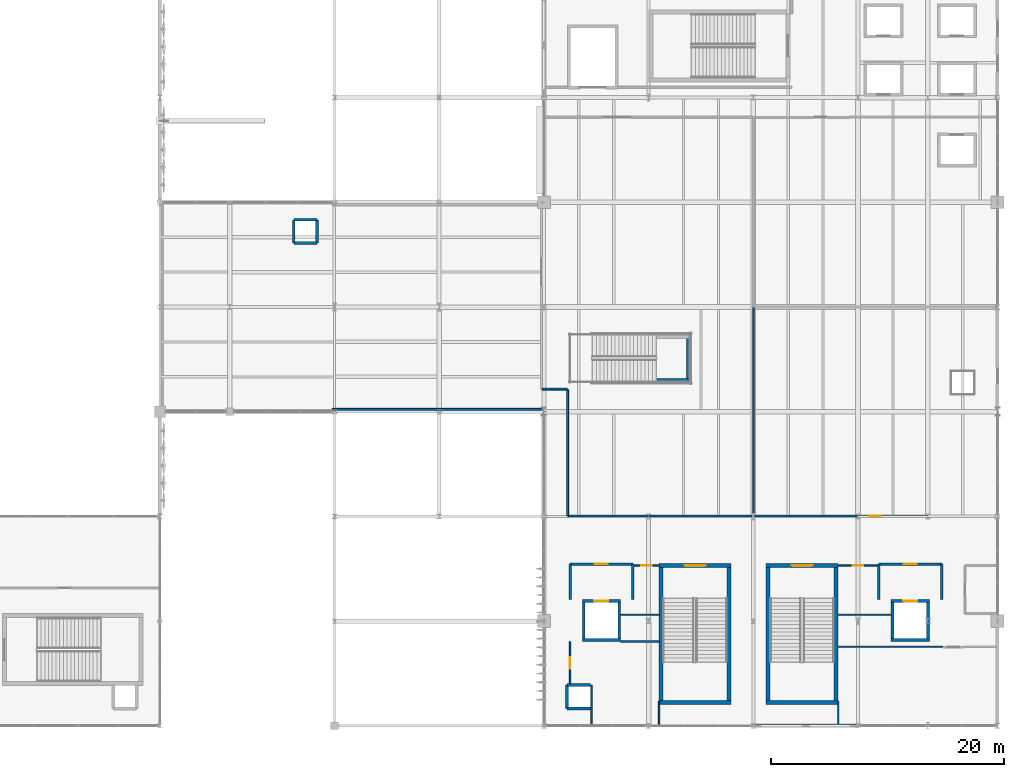
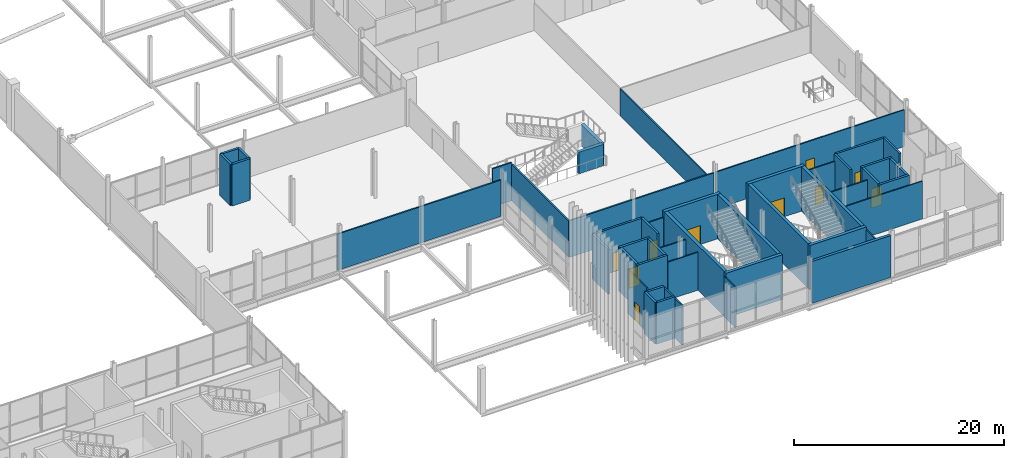
# One storey, part 92 of 119: 48 walls, 10 doors, 10 openings.
"""IFC4 building model written with IfcOpenShell, lengths in metres."""

from ifc_helpers import new_model, si_unit, direction, frame, frame_2d, origin, place, context, subcontext, project, spatial, rectangle, extrude, material, layer, layer_set, type_object, element, fill, save


model = new_model("IFC4")

# Units and contexts
model_context = context("Model", 3, precision=1e-05, world=origin(), true_north=direction((0.0, 1.0)))
body_context = subcontext(model_context, "Body", "Model", "MODEL_VIEW")
ifc_project = project(units=[si_unit("LENGTHUNIT", "METRE"), si_unit("AREAUNIT", "SQUARE_METRE"), si_unit("VOLUMEUNIT", "CUBIC_METRE"), si_unit("PLANEANGLEUNIT", "RADIAN"), si_unit("MASSUNIT", "GRAM", prefix="KILO")], contexts=[model_context])

# Site, building, storey
site_placement = place(None, origin())
site = spatial("IfcSite", under=ifc_project, at=site_placement, CompositionType="ELEMENT")
building_placement = place(site_placement, origin())
building = spatial("IfcBuilding", under=site, at=building_placement, Name="Qamarlyn Nura Convention Centre", CompositionType="ELEMENT")
storey_placement = place(building_placement, frame((0.0, 0.0, 5.39990234375)))
storey = spatial("IfcBuildingStorey", under=building, at=storey_placement, Name="L01", CompositionType="ELEMENT", Elevation=5.39990234375)

# Wall, opening, door
ifc_material_1 = material(Name="Fire-rated acoustic gypsum board and mineral wool EI 120")
ifc_layer_1 = layer(ifc_material_1, 0.219970703125, Name="WT-COMP-220")
ifc_layer_set_1 = layer_set([ifc_layer_1], Name="Fire-rated acoustic gypsum board and mineral wool EI 120")
wall_type_1 = type_object("IfcWallType", Name="WT-COMP-220", PredefinedType="SOLIDWALL", material=ifc_layer_set_1)
wall_1_placement = place(storey_placement, frame((155.25, 13.89990234375, 0.0), z_axis=(0.0, 0.0, 1.0), x_axis=(1.0, 0.0, 0.0)))
wall_1 = element("IfcWall", 1, at=wall_1_placement, inside=storey, type_object=wall_type_1, Name="L01 firefighting lobby barrier wall FFL-01-OPP", PredefinedType="SOLIDWALL", context=body_context, shape_type="SweptSolid", body=[
    extrude(rectangle(XDim=5.39990234375, YDim=0.219970703125, at=frame_2d((2.699951171875, 0.0))), origin(), (0.0, 0.0, 1.0), 5.16015625),
])
opening_1_placement = place(wall_1_placement, frame((2.139892578125, 0.0, 0.0)))
opening_1 = element("IfcOpeningElement", 2, at=opening_1_placement, cuts=wall_1, Name="Opening DF-105", PredefinedType="OPENING", context=body_context, shape_type="SweptSolid", body=[
    extrude(rectangle(XDim=1.1201171875, YDim=2.199951171875, at=frame_2d((0.56005859375, 1.10009765625))), frame((0.0, 0.1201171875, 0.0), z_axis=(0.0, -1.0, 0.0), x_axis=(1.0, 0.0, 0.0)), (0.0, 0.0, 1.0), 0.239990234375),
])
ifc_material_2 = material(Name="Galvanised fire-rated hollow steel door", Category="steel")
door_type_1 = type_object("IfcDoorType", Name="DR-FFL-1120", OperationType="NOTDEFINED", PredefinedType="DOOR", material=ifc_material_2)
door_1_placement = place(opening_1_placement, origin())
door_1 = element("IfcDoor", 3, at=door_1_placement, inside=storey, type_object=door_type_1, Name="L01 firefighting lobby door FFL-01 (DF-105)", OperationType="SINGLE_SWING_LEFT", OverallHeight=2.199951171875, OverallWidth=1.1201171875, PredefinedType="DOOR", context=body_context, shape_type="SweptSolid", body=[
    extrude(rectangle(XDim=1.1201171875, YDim=2.199951171875, at=frame_2d((0.56005859375, 1.10009765625))), frame((0.0, 0.02490234375, 0.0), z_axis=(0.0, -1.0, 0.0), x_axis=(1.0, 0.0, 0.0)), (0.0, 0.0, 1.0), 0.050048828125),
])
fill(opening_1, door_1)

# Walls
for number, where, z_axis, x_axis, name in (
    (4, (155.25, 10.85009765625, 0.0), (0.0, 0.0, 1.0), (0.0, 1.0, 0.0), "L01 firefighting lobby barrier wall FFL-01-W"),
    (5, (160.64990234375, 10.85009765625, 0.0), (0.0, 0.0, 1.0), (0.0, 1.0, 0.0), "L01 firefighting lobby barrier wall FFL-01-E"),
):
    element("IfcWall", number, at=place(storey_placement, frame(where, z_axis=z_axis, x_axis=x_axis)), inside=storey, type_object=wall_type_1, Name=name, PredefinedType="SOLIDWALL", context=body_context, shape_type="SweptSolid", body=[
        extrude(rectangle(XDim=3.0498046875, YDim=0.219970703125, at=frame_2d((1.52490234375, 0.0))), origin(), (0.0, 0.0, 1.0), 5.16015625),
    ])

# Wall, opening, door
wall_2_placement = place(storey_placement, frame((181.800048828125, 13.89990234375, 0.0), z_axis=(0.0, 0.0, 1.0), x_axis=(1.0, 0.0, 0.0)))
wall_2 = element("IfcWall", 6, at=wall_2_placement, inside=storey, type_object=wall_type_1, Name="L01 firefighting lobby barrier wall FFL-02-OPP", PredefinedType="SOLIDWALL", context=body_context, shape_type="SweptSolid", body=[
    extrude(rectangle(XDim=5.39990234375, YDim=0.219970703125, at=frame_2d((2.699951171875, 0.0))), origin(), (0.0, 0.0, 1.0), 5.16015625),
])
opening_2_placement = place(wall_2_placement, frame((2.139892578125, 0.0, 0.0)))
opening_2 = element("IfcOpeningElement", 7, at=opening_2_placement, cuts=wall_2, Name="Opening DF-112", PredefinedType="OPENING", context=body_context, shape_type="SweptSolid", body=[
    extrude(rectangle(XDim=1.1201171875, YDim=2.199951171875, at=frame_2d((0.56005859375, 1.10009765625))), frame((0.0, 0.1201171875, 0.0), z_axis=(0.0, -1.0, 0.0), x_axis=(1.0, 0.0, 0.0)), (0.0, 0.0, 1.0), 0.239990234375),
])
door_2_placement = place(opening_2_placement, origin())
door_2 = element("IfcDoor", 8, at=door_2_placement, inside=storey, type_object=door_type_1, Name="L01 firefighting lobby door FFL-02 (DF-112)", OperationType="SINGLE_SWING_RIGHT", OverallHeight=2.199951171875, OverallWidth=1.1201171875, PredefinedType="DOOR", context=body_context, shape_type="SweptSolid", body=[
    extrude(rectangle(XDim=1.1201171875, YDim=2.199951171875, at=frame_2d((0.56005859375, 1.10009765625))), frame((0.0, 0.02490234375, 0.0), z_axis=(0.0, -1.0, 0.0), x_axis=(1.0, 0.0, 0.0)), (0.0, 0.0, 1.0), 0.050048828125),
])
fill(opening_2, door_2)

# Walls
for number, where, z_axis, x_axis, name in (
    (9, (181.800048828125, 10.85009765625, 0.0), (0.0, 0.0, 1.0), (0.0, 1.0, 0.0), "L01 firefighting lobby barrier wall FFL-02-W"),
    (10, (187.199951171875, 10.85009765625, 0.0), (0.0, 0.0, 1.0), (0.0, 1.0, 0.0), "L01 firefighting lobby barrier wall FFL-02-E"),
):
    element("IfcWall", number, at=place(storey_placement, frame(where, z_axis=z_axis, x_axis=x_axis)), inside=storey, type_object=wall_type_1, Name=name, PredefinedType="SOLIDWALL", context=body_context, shape_type="SweptSolid", body=[
        extrude(rectangle(XDim=3.0498046875, YDim=0.219970703125, at=frame_2d((1.52490234375, 0.0))), origin(), (0.0, 0.0, 1.0), 5.16015625),
    ])
ifc_material_3 = material(Name="Concrete C50/60", Category="concrete")
ifc_layer_2 = layer(ifc_material_3, 0.35009765625, Name="WT-CORE-350")
ifc_layer_set_2 = layer_set([ifc_layer_2], Name="Concrete C50/60")
wall_type_2 = type_object("IfcWallType", Name="WT-CORE-350", PredefinedType="SHEAR", material=ifc_layer_set_2)
wall_3_placement = place(storey_placement, frame((162.89990234375, 2.02490234375, 0.0), z_axis=(0.0, 0.0, 1.0), x_axis=(1.0, 0.0, 0.0)))
element("IfcWall", 11, at=wall_3_placement, inside=storey, type_object=wall_type_2, Name="L01 stair core shear wall ST-09-S", PredefinedType="SHEAR", context=body_context, shape_type="SweptSolid", body=[
    extrude(rectangle(XDim=6.2001953125, YDim=0.35009765625, at=frame_2d((3.10009765625, 0.0))), origin(), (0.0, 0.0, 1.0), 5.18017578125),
])

# Wall, opening, door
wall_4_placement = place(storey_placement, frame((169.10009765625, 13.77490234375, 0.0), z_axis=(0.0, 0.0, 1.0), x_axis=(-1.0, 0.0, 0.0)))
wall_4 = element("IfcWall", 12, at=wall_4_placement, inside=storey, type_object=wall_type_2, Name="L01 stair core shear wall ST-09-N", PredefinedType="SHEAR", context=body_context, shape_type="SweptSolid", body=[
    extrude(rectangle(XDim=6.2001953125, YDim=0.35009765625, at=frame_2d((3.10009765625, 0.0))), origin(), (0.0, 0.0, 1.0), 5.18017578125),
])
opening_3_placement = place(wall_4_placement, frame((2.199951171875, 0.0, 0.0)))
opening_3 = element("IfcOpeningElement", 13, at=opening_3_placement, cuts=wall_4, Name="Opening DS-031", PredefinedType="OPENING", context=body_context, shape_type="SweptSolid", body=[
    extrude(rectangle(XDim=1.800048828125, YDim=2.199951171875, at=frame_2d((0.89990234375, 1.10009765625))), frame((0.0, 0.18505859375, 0.0), z_axis=(0.0, -1.0, 0.0), x_axis=(1.0, 0.0, 0.0)), (0.0, 0.0, 1.0), 0.3701171875),
])
door_type_2 = type_object("IfcDoorType", Name="DR-STAIR-1800", OperationType="DOUBLE_DOOR_SINGLE_SWING", PredefinedType="DOOR", material=ifc_material_2)
door_3_placement = place(opening_3_placement, origin())
door_3 = element("IfcDoor", 14, at=door_3_placement, inside=storey, type_object=door_type_2, Name="L01 exit stair door ST-09 (DS-031)", OperationType="DOUBLE_DOOR_SINGLE_SWING", OverallHeight=2.199951171875, OverallWidth=1.800048828125, PredefinedType="DOOR", context=body_context, shape_type="SweptSolid", body=[
    extrude(rectangle(XDim=1.800048828125, YDim=2.199951171875, at=frame_2d((0.89990234375, 1.10009765625))), frame((0.0, 0.02490234375, 0.0), z_axis=(0.0, -1.0, 0.0), x_axis=(1.0, 0.0, 0.0)), (0.0, 0.0, 1.0), 0.050048828125),
])
fill(opening_3, door_3)

# Walls
for number, where, z_axis, x_axis, name in (
    (15, (163.074951171875, 13.60009765625, 0.0), (0.0, 0.0, 1.0), (0.0, -1.0, 0.0), "L01 stair core shear wall ST-09-W"),
    (16, (168.925048828125, 2.199951171875, 0.0), (0.0, 0.0, 1.0), (0.0, 1.0, 0.0), "L01 stair core shear wall ST-09-E"),
):
    element("IfcWall", number, at=place(storey_placement, frame(where, z_axis=z_axis, x_axis=x_axis)), inside=storey, type_object=wall_type_2, Name=name, PredefinedType="SHEAR", context=body_context, shape_type="SweptSolid", body=[
        extrude(rectangle(XDim=11.400146484375, YDim=0.35009765625, at=frame_2d((5.7001953125, 0.0))), origin(), (0.0, 0.0, 1.0), 5.18017578125),
    ])
wall_5_placement = place(storey_placement, frame((172.10009765625, 2.02490234375, 0.0), z_axis=(0.0, 0.0, 1.0), x_axis=(1.0, 0.0, 0.0)))
element("IfcWall", 17, at=wall_5_placement, inside=storey, type_object=wall_type_2, Name="L01 stair core shear wall ST-10-S", PredefinedType="SHEAR", context=body_context, shape_type="SweptSolid", body=[
    extrude(rectangle(XDim=6.199951171875, YDim=0.35009765625, at=frame_2d((3.10009765625, 0.0))), origin(), (0.0, 0.0, 1.0), 5.18017578125),
])

# Wall, opening, door
wall_6_placement = place(storey_placement, frame((178.300048828125, 13.77490234375, 0.0), z_axis=(0.0, 0.0, 1.0), x_axis=(-1.0, 0.0, 0.0)))
wall_6 = element("IfcWall", 18, at=wall_6_placement, inside=storey, type_object=wall_type_2, Name="L01 stair core shear wall ST-10-N", PredefinedType="SHEAR", context=body_context, shape_type="SweptSolid", body=[
    extrude(rectangle(XDim=6.199951171875, YDim=0.35009765625, at=frame_2d((3.10009765625, 0.0))), origin(), (0.0, 0.0, 1.0), 5.18017578125),
])
opening_4_placement = place(wall_6_placement, frame((2.199951171875, 0.0, 0.0)))
opening_4 = element("IfcOpeningElement", 19, at=opening_4_placement, cuts=wall_6, Name="Opening DS-038", PredefinedType="OPENING", context=body_context, shape_type="SweptSolid", body=[
    extrude(rectangle(XDim=1.800048828125, YDim=2.199951171875, at=frame_2d((0.89990234375, 1.10009765625))), frame((0.0, 0.18505859375, 0.0), z_axis=(0.0, -1.0, 0.0), x_axis=(1.0, 0.0, 0.0)), (0.0, 0.0, 1.0), 0.3701171875),
])
door_4_placement = place(opening_4_placement, origin())
door_4 = element("IfcDoor", 20, at=door_4_placement, inside=storey, type_object=door_type_2, Name="L01 exit stair door ST-10 (DS-038)", OperationType="DOUBLE_DOOR_SINGLE_SWING", OverallHeight=2.199951171875, OverallWidth=1.800048828125, PredefinedType="DOOR", context=body_context, shape_type="SweptSolid", body=[
    extrude(rectangle(XDim=1.800048828125, YDim=2.199951171875, at=frame_2d((0.89990234375, 1.10009765625))), frame((0.0, 0.02490234375, 0.0), z_axis=(0.0, -1.0, 0.0), x_axis=(1.0, 0.0, 0.0)), (0.0, 0.0, 1.0), 0.050048828125),
])
fill(opening_4, door_4)

# Walls
for number, where, z_axis, x_axis, name in (
    (21, (172.27490234375, 13.60009765625, 0.0), (0.0, 0.0, 1.0), (0.0, -1.0, 0.0), "L01 stair core shear wall ST-10-W"),
    (22, (178.125, 2.199951171875, 0.0), (0.0, 0.0, 1.0), (0.0, 1.0, 0.0), "L01 stair core shear wall ST-10-E"),
):
    element("IfcWall", number, at=place(storey_placement, frame(where, z_axis=z_axis, x_axis=x_axis)), inside=storey, type_object=wall_type_2, Name=name, PredefinedType="SHEAR", context=body_context, shape_type="SweptSolid", body=[
        extrude(rectangle(XDim=11.400146484375, YDim=0.35009765625, at=frame_2d((5.7001953125, 0.0))), origin(), (0.0, 0.0, 1.0), 5.18017578125),
    ])
wall_7_placement = place(storey_placement, frame((162.719970703125, 29.699951171875, 0.0), z_axis=(0.0, 0.0, 1.0), x_axis=(1.0, 0.0, 0.0)))
element("IfcWall", 23, at=wall_7_placement, inside=storey, type_object=wall_type_2, Name="L01 feature stair support fin wall ST-20-1", PredefinedType="SHEAR", context=body_context, shape_type="SweptSolid", body=[
    extrude(rectangle(XDim=2.699951171875, YDim=0.35009765625, at=frame_2d((1.35009765625, 0.0))), origin(), (0.0, 0.0, 1.0), 2.5),
])
wall_8_placement = place(storey_placement, frame((165.419921875, 29.699951171875, 0.0), z_axis=(0.0, 0.0, 1.0), x_axis=(0.0, 1.0, 0.0)))
element("IfcWall", 24, at=wall_8_placement, inside=storey, type_object=wall_type_2, Name="L01 feature stair support fin wall ST-20-3", PredefinedType="SHEAR", context=body_context, shape_type="SweptSolid", body=[
    extrude(rectangle(XDim=3.780029296875, YDim=0.35009765625, at=frame_2d((1.89013671875, 0.0))), origin(), (0.0, 0.0, 1.0), 2.5),
])
ifc_material_4 = material(Name="Concrete C40/50 with UAE coastal limestone stone facing", Category="masonry")
ifc_layer_3 = layer(ifc_material_4, 0.300048828125, Name="WT-LIME-300")
ifc_layer_set_3 = layer_set([ifc_layer_3], Name="Concrete C40/50 with UAE coastal limestone stone facing")
wall_type_3 = type_object("IfcWallType", Name="WT-LIME-300", PredefinedType="SOLIDWALL", material=ifc_layer_set_3)
wall_9_placement = place(storey_placement, frame((179.8154296875, 0.0, 0.0), z_axis=(0.0, 0.0, 1.0), x_axis=(-1.0, 0.0, 0.0)))
element("IfcWall", 25, at=wall_9_placement, inside=storey, type_object=wall_type_3, Name="L01 exterior facade wall WEXT-L01-1798-0-1712-0", PredefinedType="SOLIDWALL", context=body_context, shape_type="SweptSolid", body=[
    extrude(rectangle(XDim=8.62841796875, YDim=0.300048828125, at=frame_2d((4.314208984375, 0.0))), origin(), (0.0, 0.0, 1.0), 4.864990234375),
])

# Wall, opening, door
ifc_material_5 = material(Name="Acoustic double-stud gypsum partition")
ifc_layer_4 = layer(ifc_material_5, 0.1201171875, Name="WT-PART-120")
ifc_layer_set_4 = layer_set([ifc_layer_4], Name="Acoustic double-stud gypsum partition")
wall_type_4 = type_object("IfcWallType", Name="WT-PART-120", PredefinedType="PARTITIONING", material=ifc_layer_set_4)
wall_10_placement = place(storey_placement, frame((160.760009765625, 13.77490234375, 0.0), z_axis=(0.0, 0.0, 1.0), x_axis=(1.0, 0.0, 0.0)))
wall_10 = element("IfcWall", 26, at=wall_10_placement, inside=storey, type_object=wall_type_4, Name="L01 interior partition L01-WC-M-L01-18-1", PredefinedType="PARTITIONING", context=body_context, shape_type="SweptSolid", body=[
    extrude(rectangle(XDim=2.139892578125, YDim=0.1201171875, at=frame_2d((1.06982421875, 0.0))), origin(), (0.0, 0.0, 1.0), 4.47021484375),
])
opening_5_placement = place(wall_10_placement, frame((0.610107421875, 0.0, 0.0)))
opening_5 = element("IfcOpeningElement", 27, at=opening_5_placement, cuts=wall_10, Name="Opening D-L01-156", PredefinedType="OPENING", context=body_context, shape_type="SweptSolid", body=[
    extrude(rectangle(XDim=0.919921875, YDim=2.1201171875, at=frame_2d((0.4599609375, 1.06005859375))), frame((0.0, 0.070068359375, 0.0), z_axis=(0.0, -1.0, 0.0), x_axis=(1.0, 0.0, 0.0)), (0.0, 0.0, 1.0), 0.14013671875),
])
ifc_material_6 = material(Name="Acoustic walnut timber leaf", Category="wood")
door_type_3 = type_object("IfcDoorType", Name="DR-WC-STD-092", OperationType="NOTDEFINED", PredefinedType="DOOR", material=ifc_material_6)
door_5_placement = place(opening_5_placement, origin())
door_5 = element("IfcDoor", 28, at=door_5_placement, inside=storey, type_object=door_type_3, Name="L01 Male WC L01 door D-L01-156", OperationType="SINGLE_SWING_LEFT", OverallHeight=2.1201171875, OverallWidth=0.919921875, PredefinedType="DOOR", context=body_context, shape_type="SweptSolid", body=[
    extrude(rectangle(XDim=0.919921875, YDim=2.1201171875, at=frame_2d((0.4599609375, 1.06005859375))), frame((0.0, 0.02490234375, 0.0), z_axis=(0.0, -1.0, 0.0), x_axis=(1.0, 0.0, 0.0)), (0.0, 0.0, 1.0), 0.050048828125),
])
fill(opening_5, door_5)

# Wall
wall_11_placement = place(storey_placement, frame((162.89990234375, 9.550048828125, 0.0), z_axis=(0.0, 0.0, 1.0), x_axis=(-1.0, 0.0, 0.0)))
element("IfcWall", 29, at=wall_11_placement, inside=storey, type_object=wall_type_4, Name="L01 interior partition L01-WC-M-L01-24-1", PredefinedType="PARTITIONING", context=body_context, shape_type="SweptSolid", body=[
    extrude(rectangle(XDim=3.2998046875, YDim=0.1201171875, at=frame_2d((1.64990234375, 0.0))), origin(), (0.0, 0.0, 1.0), 4.47021484375),
])

# Wall, opening, door
wall_12_placement = place(storey_placement, frame((178.300048828125, 13.77490234375, 0.0), z_axis=(0.0, 0.0, 1.0), x_axis=(1.0, 0.0, 0.0)))
wall_12 = element("IfcWall", 30, at=wall_12_placement, inside=storey, type_object=wall_type_4, Name="L01 interior partition L01-WC-F-L01-1-1", PredefinedType="PARTITIONING", context=body_context, shape_type="SweptSolid", body=[
    extrude(rectangle(XDim=3.389892578125, YDim=0.1201171875, at=frame_2d((1.69482421875, 0.0))), origin(), (0.0, 0.0, 1.0), 4.39208984375),
])
opening_6_placement = place(wall_12_placement, frame((1.235107421875, 0.0, 0.0)))
opening_6 = element("IfcOpeningElement", 31, at=opening_6_placement, cuts=wall_12, Name="Opening D-L01-157", PredefinedType="OPENING", context=body_context, shape_type="SweptSolid", body=[
    extrude(rectangle(XDim=0.919921875, YDim=2.1201171875, at=frame_2d((0.4599609375, 1.06005859375))), frame((0.0, 0.070068359375, 0.0), z_axis=(0.0, -1.0, 0.0), x_axis=(1.0, 0.0, 0.0)), (0.0, 0.0, 1.0), 0.14013671875),
])
door_6_placement = place(opening_6_placement, origin())
door_6 = element("IfcDoor", 32, at=door_6_placement, inside=storey, type_object=door_type_3, Name="L01 Female WC L01 door D-L01-157", OperationType="SINGLE_SWING_RIGHT", OverallHeight=2.1201171875, OverallWidth=0.919921875, PredefinedType="DOOR", context=body_context, shape_type="SweptSolid", body=[
    extrude(rectangle(XDim=0.919921875, YDim=2.1201171875, at=frame_2d((0.4599609375, 1.06005859375))), frame((0.0, 0.02490234375, 0.0), z_axis=(0.0, -1.0, 0.0), x_axis=(1.0, 0.0, 0.0)), (0.0, 0.0, 1.0), 0.050048828125),
])
fill(opening_6, door_6)

# Walls
wall_13_placement = place(storey_placement, frame((182.85009765625, 9.550048828125, 0.0), z_axis=(0.0, 0.0, 1.0), x_axis=(-1.0, 0.0, 0.0)))
element("IfcWall", 33, at=wall_13_placement, inside=storey, type_object=wall_type_4, Name="L01 interior partition L01-WC-F-L01-20-1", PredefinedType="PARTITIONING", context=body_context, shape_type="SweptSolid", body=[
    extrude(rectangle(XDim=4.550048828125, YDim=0.1201171875, at=frame_2d((2.27490234375, 0.0))), origin(), (0.0, 0.0, 1.0), 4.39208984375),
])
wall_14_placement = place(storey_placement, frame((178.300048828125, 6.800048828125, 0.0), z_axis=(0.0, 0.0, 1.0), x_axis=(1.0, 0.0, 0.0)))
element("IfcWall", 34, at=wall_14_placement, inside=storey, type_object=wall_type_4, Name="L01 interior partition L01-BUS-CENT-5-1", PredefinedType="PARTITIONING", context=body_context, shape_type="SweptSolid", body=[
    extrude(rectangle(XDim=8.969970703125, YDim=0.1201171875, at=frame_2d((4.48486328125, 0.0))), origin(), (0.0, 0.0, 1.0), 4.39208984375),
])
wall_15_placement = place(storey_placement, frame((178.300048828125, 0.14990234375, 0.0), z_axis=(0.0, 0.0, 1.0), x_axis=(0.0, 1.0, 0.0)))
element("IfcWall", 35, at=wall_15_placement, inside=storey, type_object=wall_type_4, Name="L01 interior partition L01-BUS-CENT-42-1", PredefinedType="PARTITIONING", context=body_context, shape_type="SweptSolid", body=[
    extrude(rectangle(XDim=1.967529296875, YDim=0.1201171875, at=frame_2d((0.98388671875, 0.0))), origin(), (0.0, 0.0, 1.0), 4.864990234375),
])
ifc_layer_5 = layer(ifc_material_5, 0.135009765625, Name="WT-PART-135")
ifc_layer_set_5 = layer_set([ifc_layer_5], Name="Acoustic double-stud gypsum partition")
wall_type_5 = type_object("IfcWallType", Name="WT-PART-135", PredefinedType="PARTITIONING", material=ifc_layer_set_5)
wall_16_placement = place(storey_placement, frame((159.60009765625, 7.25, 0.0), z_axis=(0.0, 0.0, 1.0), x_axis=(1.0, 0.0, 0.0)))
element("IfcWall", 36, at=wall_16_placement, inside=storey, type_object=wall_type_5, Name="L01 interior partition L01-BRK-S106-8-1", PredefinedType="PARTITIONING", context=body_context, shape_type="SweptSolid", body=[
    extrude(rectangle(XDim=3.2998046875, YDim=0.135009765625, at=frame_2d((1.64990234375, 0.0))), origin(), (0.0, 0.0, 1.0), 4.39208984375),
])
wall_17_placement = place(storey_placement, frame((162.89990234375, 2.117431640625, 0.0), z_axis=(0.0, 0.0, 1.0), x_axis=(0.0, -1.0, 0.0)))
element("IfcWall", 37, at=wall_17_placement, inside=storey, type_object=wall_type_5, Name="L01 interior partition L01-BRK-S106-13-1", PredefinedType="PARTITIONING", context=body_context, shape_type="SweptSolid", body=[
    extrude(rectangle(XDim=2.10546875, YDim=0.135009765625, at=frame_2d((1.052734375, 0.0))), origin(), (0.0, 0.0, 1.0), 4.69921875),
])
wall_18_placement = place(storey_placement, frame((157.080078125, 0.011962890625, 0.0), z_axis=(0.0, 0.0, 1.0), x_axis=(0.0, 1.0, 0.0)))
element("IfcWall", 38, at=wall_18_placement, inside=storey, type_object=wall_type_5, Name="L01 interior partition L01-BRK-S106-33-1", PredefinedType="PARTITIONING", context=body_context, shape_type="SweptSolid", body=[
    extrude(rectangle(XDim=3.488037109375, YDim=0.135009765625, at=frame_2d((1.744140625, 0.0))), origin(), (0.0, 0.0, 1.0), 4.6259765625),
])

# Wall, opening, door
wall_19_placement = place(storey_placement, frame((155.25, 3.580078125, 0.0), z_axis=(0.0, 0.0, 1.0), x_axis=(0.0, 1.0, 0.0)))
wall_19 = element("IfcWall", 39, at=wall_19_placement, inside=storey, type_object=wall_type_5, Name="L01 interior partition L01-BRK-S106-51-1", PredefinedType="PARTITIONING", context=body_context, shape_type="SweptSolid", body=[
    extrude(rectangle(XDim=3.669921875, YDim=0.135009765625, at=frame_2d((1.8349609375, 0.0))), origin(), (0.0, 0.0, 1.0), 5.16015625),
])
opening_7_placement = place(wall_19_placement, frame((1.344970703125, 0.0, 0.0)))
opening_7 = element("IfcOpeningElement", 40, at=opening_7_placement, cuts=wall_19, Name="Opening D-L01-159", PredefinedType="OPENING", context=body_context, shape_type="SweptSolid", body=[
    extrude(rectangle(XDim=0.97998046875, YDim=2.14990234375, at=frame_2d((0.489990234375, 1.074951171875))), frame((0.0, 0.07763671875, 0.0), z_axis=(0.0, -1.0, 0.0), x_axis=(1.0, 0.0, 0.0)), (0.0, 0.0, 1.0), 0.155029296875),
])
door_type_4 = type_object("IfcDoorType", Name="DR-ROOM-0980", OperationType="NOTDEFINED", PredefinedType="DOOR", material=ifc_material_6)
door_7_placement = place(opening_7_placement, origin())
door_7 = element("IfcDoor", 41, at=door_7_placement, inside=storey, type_object=door_type_4, Name="L01 Executive Breakout Suite 106 door D-L01-159", OperationType="SINGLE_SWING_RIGHT", OverallHeight=2.14990234375, OverallWidth=0.97998046875, PredefinedType="DOOR", context=body_context, shape_type="SweptSolid", body=[
    extrude(rectangle(XDim=0.97998046875, YDim=2.14990234375, at=frame_2d((0.489990234375, 1.074951171875))), frame((0.0, 0.02490234375, 0.0), z_axis=(0.0, -1.0, 0.0), x_axis=(1.0, 0.0, 0.0)), (0.0, 0.0, 1.0), 0.050048828125),
])
fill(opening_7, door_7)

wall_20_placement = place(storey_placement, frame((191.7900390625, 18.0400390625, 0.0), z_axis=(0.0, 0.0, 1.0), x_axis=(-1.0, 0.0, 0.0)))
wall_20 = element("IfcWall", 42, at=wall_20_placement, inside=storey, type_object=wall_type_5, Name="L01 interior partition L01-BRK-E104-3-1", PredefinedType="PARTITIONING", context=body_context, shape_type="SweptSolid", body=[
    extrude(rectangle(XDim=20.669921875, YDim=0.135009765625, at=frame_2d((10.3349609375, 0.0))), origin(), (0.0, 0.0, 1.0), 4.27001953125),
])
opening_8_placement = place(wall_20_placement, frame((9.85498046875, 0.0, 0.0)))
opening_8 = element("IfcOpeningElement", 43, at=opening_8_placement, cuts=wall_20, Name="Opening D-L01-166", PredefinedType="OPENING", context=body_context, shape_type="SweptSolid", body=[
    extrude(rectangle(XDim=0.9599609375, YDim=2.14990234375, at=frame_2d((0.47998046875, 1.074951171875))), frame((0.0, 0.07763671875, 0.0), z_axis=(0.0, -1.0, 0.0), x_axis=(1.0, 0.0, 0.0)), (0.0, 0.0, 1.0), 0.155029296875),
])
door_type_5 = type_object("IfcDoorType", Name="DR-ROOM-0960", OperationType="NOTDEFINED", PredefinedType="DOOR", material=ifc_material_6)
door_8_placement = place(opening_8_placement, origin())
door_8 = element("IfcDoor", 44, at=door_8_placement, inside=storey, type_object=door_type_5, Name="L01 East Breakout Meeting Suite 104 door D-L01-166", OperationType="SINGLE_SWING_RIGHT", OverallHeight=2.14990234375, OverallWidth=0.9599609375, PredefinedType="DOOR", context=body_context, shape_type="SweptSolid", body=[
    extrude(rectangle(XDim=0.9599609375, YDim=2.14990234375, at=frame_2d((0.47998046875, 1.074951171875))), frame((0.0, 0.02490234375, 0.0), z_axis=(0.0, -1.0, 0.0), x_axis=(1.0, 0.0, 0.0)), (0.0, 0.0, 1.0), 0.050048828125),
])
fill(opening_8, door_8)

# Walls
wall_21_placement = place(storey_placement, frame((171.0, 18.280029296875, 0.0), z_axis=(0.0, 0.0, 1.0), x_axis=(0.0, 1.0, 0.0)))
element("IfcWall", 45, at=wall_21_placement, inside=storey, type_object=wall_type_5, Name="L01 interior partition L01-BRK-E104-4-1", PredefinedType="PARTITIONING", context=body_context, shape_type="SweptSolid", body=[
    extrude(rectangle(XDim=17.679931640625, YDim=0.135009765625, at=frame_2d((8.83984375, 0.0))), origin(), (0.0, 0.0, 1.0), 3.125),
])
ifc_material_7 = material(Name="Fire-rated acoustic gypsum board EI 60")
ifc_layer_6 = layer(ifc_material_7, 0.159912109375, Name="WT-PART-160")
ifc_layer_set_6 = layer_set([ifc_layer_6], Name="Fire-rated acoustic gypsum board EI 60")
wall_type_6 = type_object("IfcWallType", Name="WT-PART-160", PredefinedType="PARTITIONING", material=ifc_layer_set_6)
wall_22_placement = place(storey_placement, frame((152.820556640625, 27.199951171875, 0.0), z_axis=(0.0, 0.0, 1.0), x_axis=(-1.0, 0.0, 0.0)))
element("IfcWall", 46, at=wall_22_placement, inside=storey, type_object=wall_type_6, Name="L01 interior partition L01-BRG-CON1-20-1", PredefinedType="PARTITIONING", context=body_context, shape_type="SweptSolid", body=[
    extrude(rectangle(XDim=17.99560546875, YDim=0.159912109375, at=frame_2d((8.997802734375, 0.0))), origin(), (0.0, 0.0, 1.0), 4.213134765625),
])
wall_23_placement = place(storey_placement, frame((170.8798828125, 18.0400390625, 0.0), z_axis=(0.0, 0.0, 1.0), x_axis=(-1.0, 0.0, 0.0)))
element("IfcWall", 47, at=wall_23_placement, inside=storey, type_object=wall_type_6, Name="L01 interior partition L01-FOY-L01-16-1", PredefinedType="PARTITIONING", context=body_context, shape_type="SweptSolid", body=[
    extrude(rectangle(XDim=15.83984375, YDim=0.159912109375, at=frame_2d((7.919921875, 0.0))), origin(), (0.0, 0.0, 1.0), 4.27001953125),
])
wall_24_placement = place(storey_placement, frame((155.0400390625, 18.0400390625, 0.0), z_axis=(0.0, 0.0, 1.0), x_axis=(0.0, 1.0, 0.0)))
element("IfcWall", 48, at=wall_24_placement, inside=storey, type_object=wall_type_6, Name="L01 interior partition L01-FOY-L01-17-1", PredefinedType="PARTITIONING", context=body_context, shape_type="SweptSolid", body=[
    extrude(rectangle(XDim=10.85986328125, YDim=0.159912109375, at=frame_2d((5.429931640625, 0.0))), origin(), (0.0, 0.0, 1.0), 4.213134765625),
])
wall_25_placement = place(storey_placement, frame((155.0, 28.93994140625, 0.0), z_axis=(0.0, 0.0, 1.0), x_axis=(-1.0, 0.0, 0.0)))
element("IfcWall", 49, at=wall_25_placement, inside=storey, type_object=wall_type_6, Name="L01 interior partition L01-FOY-L01-34-1", PredefinedType="PARTITIONING", context=body_context, shape_type="SweptSolid", body=[
    extrude(rectangle(XDim=2.1201171875, YDim=0.159912109375, at=frame_2d((1.06005859375, 0.0))), origin(), (0.0, 0.0, 1.0), 4.43017578125),
])
ifc_layer_7 = layer(ifc_material_1, 0.25, Name="WT-SHAFT-250")
ifc_layer_set_7 = layer_set([ifc_layer_7], Name="Fire-rated acoustic gypsum board and mineral wool EI 120")
wall_type_7 = type_object("IfcWallType", Name="WT-SHAFT-250", PredefinedType="SOLIDWALL", material=ifc_layer_set_7)
wall_26_placement = place(storey_placement, frame((156.300048828125, 7.375, 0.0), z_axis=(0.0, 0.0, 1.0), x_axis=(1.0, 0.0, 0.0)))
element("IfcWall", 50, at=wall_26_placement, inside=storey, type_object=wall_type_7, Name="L01 lift shaft enclosure wall FFL-01 -y", PredefinedType="SOLIDWALL", context=body_context, shape_type="SweptSolid", body=[
    extrude(rectangle(XDim=3.300048828125, YDim=0.25, at=frame_2d((1.64990234375, 0.0))), origin(), (0.0, 0.0, 1.0), 5.16015625),
])

# Wall, opening, door
wall_27_placement = place(storey_placement, frame((159.60009765625, 10.72509765625, 0.0), z_axis=(0.0, 0.0, 1.0), x_axis=(-1.0, 0.0, 0.0)))
wall_27 = element("IfcWall", 51, at=wall_27_placement, inside=storey, type_object=wall_type_7, Name="L01 lift shaft enclosure wall FFL-01 +y", PredefinedType="SOLIDWALL", context=body_context, shape_type="SweptSolid", body=[
    extrude(rectangle(XDim=3.300048828125, YDim=0.25, at=frame_2d((1.64990234375, 0.0))), origin(), (0.0, 0.0, 1.0), 5.16015625),
])
opening_9_placement = place(wall_27_placement, frame((1.050048828125, 0.0, 0.0)))
opening_9 = element("IfcOpeningElement", 52, at=opening_9_placement, cuts=wall_27, Name="Opening LD-FFL-01-L01", PredefinedType="OPENING", context=body_context, shape_type="SweptSolid", body=[
    extrude(rectangle(XDim=1.199951171875, YDim=2.25, at=frame_2d((0.60009765625, 1.125))), frame((0.0, 0.135009765625, 0.0), z_axis=(0.0, -1.0, 0.0), x_axis=(1.0, 0.0, 0.0)), (0.0, 0.0, 1.0), 0.27001953125),
])
ifc_material_8 = material(Name="Marine Grade 316 stainless steel", Category="steel")
door_type_6 = type_object("IfcDoorType", Name="DR-LD-FFL", OperationType="DOUBLE_DOOR_SLIDING", PredefinedType="DOOR", material=ifc_material_8)
door_9_placement = place(opening_9_placement, origin())
door_9 = element("IfcDoor", 53, at=door_9_placement, inside=storey, type_object=door_type_6, Name="Lift landing door LD-FFL-01-L01", OperationType="DOUBLE_DOOR_SLIDING", OverallHeight=2.25, OverallWidth=1.199951171875, PredefinedType="DOOR", context=body_context, shape_type="SweptSolid", body=[
    extrude(rectangle(XDim=1.199951171875, YDim=2.25, at=frame_2d((0.60009765625, 1.125))), frame((0.0, 0.02490234375, 0.0), z_axis=(0.0, -1.0, 0.0), x_axis=(1.0, 0.0, 0.0)), (0.0, 0.0, 1.0), 0.050048828125),
])
fill(opening_9, door_9)

# Walls
for number, where, z_axis, x_axis, name in (
    (54, (156.425048828125, 10.60009765625, 0.0), (0.0, 0.0, 1.0), (0.0, -1.0, 0.0), "L01 lift shaft enclosure wall FFL-01 -x"),
    (55, (159.47509765625, 7.5, 0.0), (0.0, 0.0, 1.0), (0.0, 1.0, 0.0), "L01 lift shaft enclosure wall FFL-01 +x"),
):
    element("IfcWall", number, at=place(storey_placement, frame(where, z_axis=z_axis, x_axis=x_axis)), inside=storey, type_object=wall_type_7, Name=name, PredefinedType="SOLIDWALL", context=body_context, shape_type="SweptSolid", body=[
        extrude(rectangle(XDim=3.10009765625, YDim=0.25, at=frame_2d((1.550048828125, 0.0))), origin(), (0.0, 0.0, 1.0), 5.16015625),
    ])
wall_28_placement = place(storey_placement, frame((182.85009765625, 7.375, 0.0), z_axis=(0.0, 0.0, 1.0), x_axis=(1.0, 0.0, 0.0)))
element("IfcWall", 56, at=wall_28_placement, inside=storey, type_object=wall_type_7, Name="L01 lift shaft enclosure wall FFL-02 -y", PredefinedType="SOLIDWALL", context=body_context, shape_type="SweptSolid", body=[
    extrude(rectangle(XDim=3.2998046875, YDim=0.25, at=frame_2d((1.64990234375, 0.0))), origin(), (0.0, 0.0, 1.0), 5.16015625),
])

# Wall, opening, door
wall_29_placement = place(storey_placement, frame((186.14990234375, 10.72509765625, 0.0), z_axis=(0.0, 0.0, 1.0), x_axis=(-1.0, 0.0, 0.0)))
wall_29 = element("IfcWall", 57, at=wall_29_placement, inside=storey, type_object=wall_type_7, Name="L01 lift shaft enclosure wall FFL-02 +y", PredefinedType="SOLIDWALL", context=body_context, shape_type="SweptSolid", body=[
    extrude(rectangle(XDim=3.2998046875, YDim=0.25, at=frame_2d((1.64990234375, 0.0))), origin(), (0.0, 0.0, 1.0), 5.16015625),
])
opening_10_placement = place(wall_29_placement, frame((1.050048828125, 0.0, 0.0)))
opening_10 = element("IfcOpeningElement", 58, at=opening_10_placement, cuts=wall_29, Name="Opening LD-FFL-02-L01", PredefinedType="OPENING", context=body_context, shape_type="SweptSolid", body=[
    extrude(rectangle(XDim=1.199951171875, YDim=2.25, at=frame_2d((0.60009765625, 1.125))), frame((0.0, 0.135009765625, 0.0), z_axis=(0.0, -1.0, 0.0), x_axis=(1.0, 0.0, 0.0)), (0.0, 0.0, 1.0), 0.27001953125),
])
door_10_placement = place(opening_10_placement, origin())
door_10 = element("IfcDoor", 59, at=door_10_placement, inside=storey, type_object=door_type_6, Name="Lift landing door LD-FFL-02-L01", OperationType="DOUBLE_DOOR_SLIDING", OverallHeight=2.25, OverallWidth=1.199951171875, PredefinedType="DOOR", context=body_context, shape_type="SweptSolid", body=[
    extrude(rectangle(XDim=1.199951171875, YDim=2.25, at=frame_2d((0.60009765625, 1.125))), frame((0.0, 0.02490234375, 0.0), z_axis=(0.0, -1.0, 0.0), x_axis=(1.0, 0.0, 0.0)), (0.0, 0.0, 1.0), 0.050048828125),
])
fill(opening_10, door_10)

# Walls
for number, where, z_axis, x_axis, name in (
    (60, (182.97509765625, 10.60009765625, 0.0), (0.0, 0.0, 1.0), (0.0, -1.0, 0.0), "L01 lift shaft enclosure wall FFL-02 -x"),
    (61, (186.02490234375, 7.5, 0.0), (0.0, 0.0, 1.0), (0.0, 1.0, 0.0), "L01 lift shaft enclosure wall FFL-02 +x"),
):
    element("IfcWall", number, at=place(storey_placement, frame(where, z_axis=z_axis, x_axis=x_axis)), inside=storey, type_object=wall_type_7, Name=name, PredefinedType="SOLIDWALL", context=body_context, shape_type="SweptSolid", body=[
        extrude(rectangle(XDim=3.10009765625, YDim=0.25, at=frame_2d((1.550048828125, 0.0))), origin(), (0.0, 0.0, 1.0), 5.16015625),
    ])
for number, where, z_axis, x_axis, name in (
    (62, (131.5, 41.5, 0.0), (0.0, 0.0, 1.0), (1.0, 0.0, 0.0), "L01 MEP riser shaft wall 20-S"),
    (63, (133.5, 43.5, 0.0), (0.0, 0.0, 1.0), (-1.0, 0.0, 0.0), "L01 MEP riser shaft wall 20-N"),
    (64, (131.5, 43.5, 0.0), (0.0, 0.0, 1.0), (0.0, -1.0, 0.0), "L01 MEP riser shaft wall 20-W"),
    (65, (133.5, 41.5, 0.0), (0.0, 0.0, 1.0), (0.0, 1.0, 0.0), "L01 MEP riser shaft wall 20-E"),
    (66, (155.0, 1.5, 0.0), (0.0, 0.0, 1.0), (1.0, 0.0, 0.0), "L01 MEP riser shaft wall 21-S"),
    (67, (157.0, 3.5, 0.0), (0.0, 0.0, 1.0), (-1.0, 0.0, 0.0), "L01 MEP riser shaft wall 21-N"),
    (68, (155.0, 3.5, 0.0), (0.0, 0.0, 1.0), (0.0, -1.0, 0.0), "L01 MEP riser shaft wall 21-W"),
):
    element("IfcWall", number, at=place(storey_placement, frame(where, z_axis=z_axis, x_axis=x_axis)), inside=storey, type_object=wall_type_7, Name=name, PredefinedType="SOLIDWALL", context=body_context, shape_type="SweptSolid", body=[
        extrude(rectangle(XDim=2.0, YDim=0.25, at=frame_2d((1.0, 0.0))), origin(), (0.0, 0.0, 1.0), 4.81005859375),
    ])

save(model, "model.ifc")
